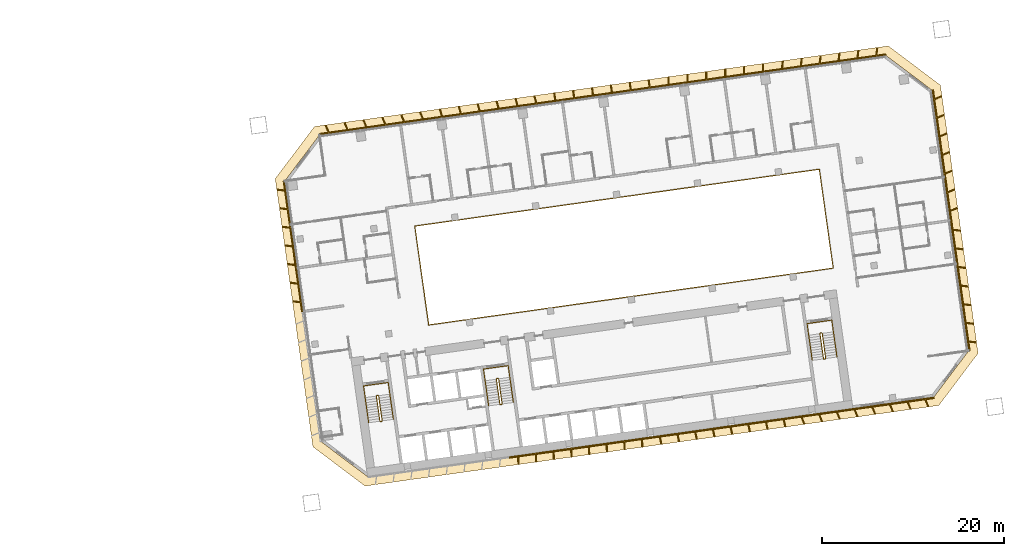
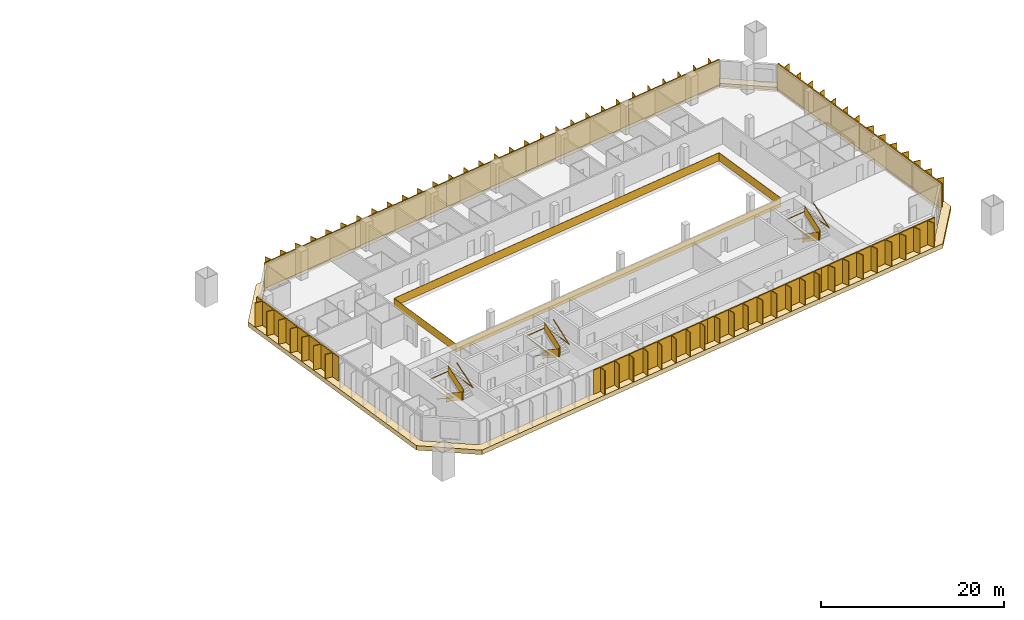
# One storey, part 24 of 24: 11 shading devices, 7 railings, 1 covering.
"""IFC4 building model written with IfcOpenShell, lengths in metres."""

import ifcopenshell
import ifcopenshell.guid

model = None  # the IFC model being written
_history = None  # IfcOwnerHistory: only IFC2X3 demands one
_inside = {}  # id of a spatial element -> (the spatial element, [elements in it])
_under = {}  # id of a project, library or spatial element -> (it, [spatial elements below it])
_declared = {}  # id of a project -> (the project, [libraries it declares])
_typed = {}  # id of a type object -> (the type object, [elements of that type])
_made_of = {}  # id of a material, layer set ... -> (it, [elements and type objects made of it])


def new_model(schema):
    """Start an empty IFC model of exactly this schema.

    Asked for "IFC4X3", IfcOpenShell would pick the latest addendum, in which some entities
    have other attributes; the version numbers below select the first issue.
    IFC2X3 requires an IfcOwnerHistory on every rooted entity: one is made here for all.
    """
    global model, _history
    if schema == "IFC4X3":
        model = ifcopenshell.file(schema_version=(4, 3, 0, 0))
    else:
        model = ifcopenshell.file(schema=schema)
    _inside.clear()
    _under.clear()
    _declared.clear()
    _typed.clear()
    _made_of.clear()
    _history = None
    if model.schema == "IFC2X3":
        org = make("IfcOrganization", Name="unknown")
        user = make(
            "IfcPersonAndOrganization",
            ThePerson=make("IfcPerson", FamilyName="unknown"),
            TheOrganization=org,
        )
        app = make(
            "IfcApplication",
            ApplicationDeveloper=org,
            Version="unknown",
            ApplicationFullName="unknown",
            ApplicationIdentifier="unknown",
        )
        _history = make(
            "IfcOwnerHistory",
            OwningUser=user,
            OwningApplication=app,
            ChangeAction="ADDED",
            CreationDate=0,
        )
    return model


def make(cls, **values):
    """One entity of the class cls with the attributes given. An attribute that is None is left unset."""
    return model.create_entity(
        cls, **{name: value for name, value in values.items() if value is not None}
    )


def rooted(cls, **values):
    """An entity with a GlobalId (a new one), such as an element, a storey or a relation."""
    return make(cls, GlobalId=ifcopenshell.guid.new(), OwnerHistory=_history, **values)


def si_unit(unit_type, name, prefix=None):
    """IfcSIUnit, for example si_unit("LENGTHUNIT", "METRE", prefix="MILLI")."""
    return make("IfcSIUnit", UnitType=unit_type, Prefix=prefix, Name=name)


def assignment(units):
    """IfcUnitAssignment: the units of a project."""
    return None if units is None else make("IfcUnitAssignment", Units=units)


def point(xyz):
    """IfcCartesianPoint."""
    return None if xyz is None else make("IfcCartesianPoint", Coordinates=xyz)


def direction(xyz):
    """IfcDirection."""
    return None if xyz is None else make("IfcDirection", DirectionRatios=xyz)


def frame(location, z_axis=None, x_axis=None):
    """IfcAxis2Placement3D, a coordinate frame: its origin and axes. An axis left out is left unset."""
    return make(
        "IfcAxis2Placement3D",
        Location=point(location),
        Axis=direction(z_axis),
        RefDirection=direction(x_axis),
    )


def frame_2d(location, x_axis=None):
    """IfcAxis2Placement2D, a coordinate frame in the plane: its origin and x axis."""
    return make(
        "IfcAxis2Placement2D", Location=point(location), RefDirection=direction(x_axis)
    )


def origin():
    """The frame at (0, 0, 0) with its axes left unset."""
    return frame((0.0, 0.0, 0.0))


def origin_2d():
    """The frame at (0, 0) in the plane with its x axis left unset."""
    return frame_2d((0.0, 0.0))


def place(relative_to, where):
    """IfcLocalPlacement: puts the frame where relative to a parent placement (None: the world)."""
    return make(
        "IfcLocalPlacement", PlacementRelTo=relative_to, RelativePlacement=where
    )


def context(
    kind, dimensions, precision=None, world=None, true_north=None, identifier=None
):
    """IfcGeometricRepresentationContext, for example the 3D "Model" context."""
    return make(
        "IfcGeometricRepresentationContext",
        ContextIdentifier=identifier,
        ContextType=kind,
        CoordinateSpaceDimension=dimensions,
        Precision=precision,
        WorldCoordinateSystem=world,
        TrueNorth=true_north,
    )


def subcontext(parent, identifier, kind, view, scale=None):
    """IfcGeometricRepresentationSubContext, for example "Body" below "Model"."""
    return make(
        "IfcGeometricRepresentationSubContext",
        ContextIdentifier=identifier,
        ContextType=kind,
        ParentContext=parent,
        TargetScale=scale,
        TargetView=view,
    )


def project(units=None, contexts=None):
    """IfcProject with its units and contexts."""
    return rooted(
        "IfcProject",
        Name="project",
        RepresentationContexts=contexts,
        UnitsInContext=assignment(units),
    )


def spatial(cls, under=None, at=None, **own):
    """A site, building, storey or space (cls), placed at a placement, below another one or the project."""
    s = rooted(cls, ObjectPlacement=at, **own)
    if under is not None:
        _under.setdefault(under.id(), (under, []))[1].append(s)
    return s


def polyline(points):
    """IfcPolyline through the points."""
    return make("IfcPolyline", Points=[point(p) for p in points])


def profile(cls, at=None, kind="AREA", **sizes):
    """A parametric profile (cls). Its sizes go by their IFC names, for example OverallWidth=200.0."""
    return make(cls, ProfileType=kind, Position=at, **sizes)


def rectangle(**sizes):
    """IfcRectangleProfileDef."""
    return profile("IfcRectangleProfileDef", **sizes)


def outline(outer, holes=None, kind="AREA"):
    """IfcArbitraryClosedProfileDef: a profile drawn as a closed curve; with holes, ...WithVoids."""
    if holes is None:
        return make("IfcArbitraryClosedProfileDef", ProfileType=kind, OuterCurve=outer)
    return make(
        "IfcArbitraryProfileDefWithVoids",
        ProfileType=kind,
        OuterCurve=outer,
        InnerCurves=holes,
    )


def extrude(swept, where, along, depth):
    """IfcExtrudedAreaSolid: the profile swept, set in the frame where, extruded along a direction by depth."""
    return make(
        "IfcExtrudedAreaSolid",
        SweptArea=swept,
        Position=where,
        ExtrudedDirection=direction(along),
        Depth=depth,
    )


def shape(context_of_items, identifier, shape_type, items):
    """IfcShapeRepresentation: the items that make up one representation, for example the "Body"."""
    return make(
        "IfcShapeRepresentation",
        ContextOfItems=context_of_items,
        RepresentationIdentifier=identifier,
        RepresentationType=shape_type,
        Items=items,
    )


def material(Name=None, Category=None):
    """IfcMaterial."""
    return make("IfcMaterial", Name=Name, Category=Category)


def layer(
    of_material, thickness, ventilated=None, Name=None, Category=None, Priority=None
):
    """IfcMaterialLayer: one layer of a wall or slab, of a material (None: an air gap)."""
    return make(
        "IfcMaterialLayer",
        Material=of_material,
        LayerThickness=thickness,
        IsVentilated=ventilated,
        Name=Name,
        Category=Category,
        Priority=Priority,
    )


def layer_set(layers, Name=None):
    """IfcMaterialLayerSet."""
    return make("IfcMaterialLayerSet", MaterialLayers=layers, LayerSetName=Name)


def made_of(thing, what):
    """Note that an element or type object is made of a material, layer set ...; save() writes the relation."""
    if what is not None:
        _made_of.setdefault(what.id(), (what, []))[1].append(thing)
    return thing


def type_object(cls, material=None, **own):
    """A type object (cls), such as IfcWallType, which elements share."""
    return made_of(rooted(cls, **own), material)


def element(
    cls,
    number,
    at=None,
    inside=None,
    cuts=None,
    type_object=None,
    material=None,
    context=None,
    identifier="Body",
    shape_type=None,
    held_by="IfcProductDefinitionShape",
    body=None,
    shapes=None,
    **own,
):
    """One element of the class cls, such as IfcWall. Its Tag is "e" and its number.

    at: its placement. inside: the storey or other place that contains it. cuts: it is an
    opening in that element (IfcRelVoidsElement). A single representation is given by context,
    identifier, shape_type and body (its items); several are given by shapes. held_by: the class
    of the entity that holds the representations. save() writes the other relations.
    """
    e = rooted(cls, Tag="e%d" % number, ObjectPlacement=at, **own)
    if body is not None:
        shapes = [shape(context, identifier, shape_type, body)]
    if shapes is not None:
        e.Representation = make(held_by, Representations=shapes)
    if inside is not None:
        _inside.setdefault(inside.id(), (inside, []))[1].append(e)
    if cuts is not None:
        rooted(
            "IfcRelVoidsElement", RelatingBuildingElement=cuts, RelatedOpeningElement=e
        )
    if type_object is not None:
        _typed.setdefault(type_object.id(), (type_object, []))[1].append(e)
    return made_of(e, material)


def aggregate(whole, parts):
    """IfcRelAggregates: a whole, such as a stair, and the parts it consists of."""
    return rooted("IfcRelAggregates", RelatingObject=whole, RelatedObjects=parts)


def save(model, path):
    """Write the relations noted so far, then the file.

    IfcRelAggregates (storeys below a building ...), IfcRelContainedInSpatialStructure (elements
    in a storey), IfcRelDefinesByType, IfcRelAssociatesMaterial and IfcRelDeclares: one each for
    every whole, place, type object, material and project.
    """
    for whole, parts in _under.values():
        aggregate(whole, parts)
    for where, things in _inside.values():
        rooted(
            "IfcRelContainedInSpatialStructure",
            RelatedElements=things,
            RelatingStructure=where,
        )
    for kind, things in _typed.values():
        rooted("IfcRelDefinesByType", RelatedObjects=things, RelatingType=kind)
    for what, things in _made_of.values():
        rooted("IfcRelAssociatesMaterial", RelatedObjects=things, RelatingMaterial=what)
    for by, libraries in _declared.values():
        rooted("IfcRelDeclares", RelatingContext=by, RelatedDefinitions=libraries)
    model.write(path)


model = new_model("IFC4")

# Units and contexts
model_context = context("Model", 3, precision=1e-05, world=origin(), true_north=direction((0.0, 1.0)))
body_context = subcontext(model_context, "Body", "Model", "MODEL_VIEW")
ifc_project = project(units=[si_unit("LENGTHUNIT", "METRE"), si_unit("AREAUNIT", "SQUARE_METRE"), si_unit("VOLUMEUNIT", "CUBIC_METRE"), si_unit("PLANEANGLEUNIT", "RADIAN"), si_unit("MASSUNIT", "GRAM", prefix="KILO")], contexts=[model_context])

# Site, building, storey
site_placement = place(None, origin())
site = spatial("IfcSite", under=ifc_project, at=site_placement, CompositionType="ELEMENT")
building_placement = place(site_placement, origin())
building = spatial("IfcBuilding", under=site, at=building_placement, Name="Mirante Cascada Hotel Towers", CompositionType="ELEMENT")
storey_placement = place(building_placement, frame((0.0, 0.0, 43.3)))
storey = spatial("IfcBuildingStorey", under=building, at=storey_placement, Name="L07", CompositionType="ELEMENT", Elevation=43.3)

# Railing
ifc_material_1 = material(Name="Toughened glass with stainless steel handrail", Category="steel")
railing_type_1 = type_object("IfcRailingType", Name="Atrium guard 1100 glass balustrade", PredefinedType="GUARDRAIL", material=ifc_material_1)
railing_1_placement = place(storey_placement, frame((43.8418, -3.4881, 0.0)))
element("IfcRailing", 1, at=railing_1_placement, inside=storey, type_object=railing_type_1, Name="GUARD 2-L07-1", PredefinedType="GUARDRAIL", context=body_context, shape_type="SweptSolid", body=[
    extrude(rectangle(XDim=0.048, YDim=0.048, at=origin_2d()), frame((0.0, 0.0, 1.076), z_axis=(0.9902681, 0.1391732, 0.0), x_axis=(-0.1391732, 0.9902681, 0.0)), (0.0, 0.0, 1.0), 45.0),
    extrude(rectangle(XDim=0.02, YDim=1.052, at=origin_2d()), frame((0.0, 0.0, 0.526), z_axis=(0.9902681, 0.1391732, 0.0), x_axis=(-0.1391732, 0.9902681, 0.0)), (0.0, 0.0, 1.0), 45.0),
    extrude(rectangle(XDim=0.048, YDim=0.048, at=origin_2d()), frame((44.5621, 6.2628, 1.076), z_axis=(-0.1391721, 0.9902682, 0.0), x_axis=(-0.9902682, -0.1391721, 0.0)), (0.0, 0.0, 1.0), 11.0001),
    extrude(rectangle(XDim=0.02, YDim=1.052, at=origin_2d()), frame((44.5621, 6.2628, 0.526), z_axis=(-0.1391721, 0.9902682, 0.0), x_axis=(-0.9902682, -0.1391721, 0.0)), (0.0, 0.0, 1.0), 11.0001),
    extrude(rectangle(XDim=0.048, YDim=0.048, at=origin_2d()), frame((43.0312, 17.1558, 1.076), z_axis=(-0.9902681, -0.1391732, 0.0), x_axis=(0.1391732, -0.9902681, 0.0)), (0.0, 0.0, 1.0), 45.0),
    extrude(rectangle(XDim=0.02, YDim=1.052, at=origin_2d()), frame((43.0312, 17.1558, 0.526), z_axis=(-0.9902681, -0.1391732, 0.0), x_axis=(0.1391732, -0.9902681, 0.0)), (0.0, 0.0, 1.0), 45.0),
    extrude(rectangle(XDim=0.048, YDim=0.048, at=origin_2d()), frame((-1.5309, 10.893, 1.076), z_axis=(0.1391721, -0.9902682, 0.0), x_axis=(0.9902682, 0.1391721, 0.0)), (0.0, 0.0, 1.0), 11.0001),
    extrude(rectangle(XDim=0.02, YDim=1.052, at=origin_2d()), frame((-1.5309, 10.893, 0.526), z_axis=(0.1391721, -0.9902682, 0.0), x_axis=(0.9902682, 0.1391721, 0.0)), (0.0, 0.0, 1.0), 11.0001),
])

# Covering
ifc_material_2 = material(Name="Precast concrete C40/50 white", Category="concrete")
ifc_layer = layer(ifc_material_2, 0.6)
ifc_layer_set = layer_set([ifc_layer], Name="Precast concrete SUNSHADE band 1000x600")
covering_type = type_object("IfcCoveringType", Name="Precast concrete SUNSHADE band 1000x600", PredefinedType="CLADDING", material=ifc_layer_set)
covering_placement = place(storey_placement, frame((0.0, 0.0, -0.45)))
element("IfcCovering", 2, at=covering_placement, inside=storey, type_object=covering_type, Name="Precast concrete SUNSHADE band T2 L07", PredefinedType="CLADDING", context=body_context, shape_type="SweptSolid", body=[
    extrude(outline(polyline([(26.9341, 12.6299), (31.2626, 18.374), (94.4698, 27.2572), (100.2139, 22.9287), (104.3652, -6.6094), (100.0367, -12.3535), (36.8295, -21.2367), (31.0854, -16.9082), (26.9341, 12.6299)]), holes=[polyline([(103.3173, -6.3384), (99.2813, 22.3794), (94.1988, 26.2093), (31.8119, 17.4414), (27.982, 12.3589), (32.018, -16.3589), (37.1005, -20.1888), (99.4874, -11.4209), (103.3173, -6.3384)])]), origin(), (0.0, 0.0, 1.0), 0.6),
])

# Railings
ifc_material_3 = material(Name="Painted steel", Category="steel")
railing_type_2 = type_object("IfcRailingType", Name="Stair guard 1100 steel balustrade", PredefinedType="GUARDRAIL", material=ifc_material_3)
railing_2_placement = place(storey_placement, frame((38.2663, -11.2395, 0.0)))
element("IfcRailing", 3, at=railing_2_placement, inside=storey, type_object=railing_type_2, Name="L07 ST2-A stair guard 1", PredefinedType="GUARDRAIL", context=body_context, shape_type="SweptSolid", body=[
    extrude(rectangle(XDim=0.048, YDim=0.048, at=origin_2d()), frame((0.0, 0.0, 1.076), z_axis=(-0.9903326, -0.1387133, 0.0), x_axis=(0.1387133, -0.9903326, 0.0)), (0.0, 0.0, 1.0), 0.1499),
    extrude(rectangle(XDim=0.02, YDim=1.052, at=origin_2d()), frame((0.0, 0.0, 0.526), z_axis=(-0.9903326, -0.1387133, 0.0), x_axis=(0.1387133, -0.9903326, 0.0)), (0.0, 0.0, 1.0), 0.1499),
    extrude(rectangle(XDim=0.048, YDim=0.048, at=origin_2d()), frame((-0.1485, -0.0208, 1.076), z_axis=(-0.6020331, -0.7984711, 0.0), x_axis=(0.7984711, -0.6020331, 0.0)), (0.0, 0.9253398, 0.3791387), 0.1866),
    extrude(rectangle(XDim=0.02, YDim=1.052, at=origin_2d()), frame((-0.1485, -0.0208, 0.526), z_axis=(-0.6020331, -0.7984711, 0.0), x_axis=(0.7984711, -0.6020331, 0.0)), (0.0, 0.9253398, 0.3791387), 0.1866),
    extrude(rectangle(XDim=0.048, YDim=0.048, at=origin_2d()), frame((-0.1911, -0.0773, 1.2487), z_axis=(0.139176, -0.9902677, 0.0), x_axis=(0.9902677, 0.139176, 0.0)), (0.0, 0.5250212, 0.8510891), 3.29),
    extrude(rectangle(XDim=0.02, YDim=1.052, at=origin_2d()), frame((-0.1911, -0.0773, 0.6987), z_axis=(0.139176, -0.9902677, 0.0), x_axis=(0.9902677, 0.139176, 0.0)), (0.0, 0.5250212, 0.8510891), 3.29),
    extrude(rectangle(XDim=0.048, YDim=0.048, at=origin_2d()), frame((0.1986, -2.8501, 2.976), z_axis=(0.9944948, -0.1047858, 0.0), x_axis=(0.1047858, 0.9944948, 0.0)), (0.0, 0.0, 1.0), 0.2061),
    extrude(rectangle(XDim=0.02, YDim=1.052, at=origin_2d()), frame((0.1986, -2.8501, 2.426), z_axis=(0.9944948, -0.1047858, 0.0), x_axis=(0.1047858, 0.9944948, 0.0)), (0.0, 0.0, 1.0), 0.2061),
    extrude(rectangle(XDim=0.048, YDim=0.048, at=origin_2d()), frame((0.4036, -2.8717, 2.976), z_axis=(-0.9902408, -0.1393672, 0.0), x_axis=(0.1393672, -0.9902408, 0.0)), (0.0, 0.0, 1.0), 0.15),
    extrude(rectangle(XDim=0.02, YDim=1.052, at=origin_2d()), frame((0.4036, -2.8717, 2.426), z_axis=(-0.9902408, -0.1393672, 0.0), x_axis=(0.1393672, -0.9902408, 0.0)), (0.0, 0.0, 1.0), 0.15),
    extrude(rectangle(XDim=0.048, YDim=0.048, at=origin_2d()), frame((0.2551, -2.8926, 2.976), z_axis=(0.9270311, 0.3749843, 0.0), x_axis=(-0.3749843, 0.9270311, 0.0)), (0.0, 0.6421903, 0.7665452), 0.2689),
    extrude(rectangle(XDim=0.02, YDim=1.052, at=origin_2d()), frame((0.2551, -2.8926, 2.426), z_axis=(0.9270311, 0.3749843, 0.0), x_axis=(-0.3749843, 0.9270311, 0.0)), (0.0, 0.6421903, 0.7665452), 0.2689),
    extrude(rectangle(XDim=0.048, YDim=0.048, at=origin_2d()), frame((0.4462, -2.8153, 3.1487), z_axis=(-0.139176, 0.9902677, 0.0), x_axis=(-0.9902677, -0.139176, 0.0)), (0.0, 0.5250212, 0.8510891), 3.29),
    extrude(rectangle(XDim=0.02, YDim=1.052, at=origin_2d()), frame((0.4462, -2.8153, 2.5987), z_axis=(-0.139176, 0.9902677, 0.0), x_axis=(-0.9902677, -0.139176, 0.0)), (0.0, 0.5250212, 0.8510891), 3.29),
])
railing_3_placement = place(storey_placement, frame((51.4864, -9.3815, 0.0)))
element("IfcRailing", 4, at=railing_3_placement, inside=storey, type_object=railing_type_2, Name="L07 ST2-B stair guard 1", PredefinedType="GUARDRAIL", context=body_context, shape_type="SweptSolid", body=[
    extrude(rectangle(XDim=0.048, YDim=0.048, at=origin_2d()), frame((0.0, 0.0, 1.076), z_axis=(-0.9902408, -0.1393672, 0.0), x_axis=(0.1393672, -0.9902408, 0.0)), (0.0, 0.0, 1.0), 0.15),
    extrude(rectangle(XDim=0.02, YDim=1.052, at=origin_2d()), frame((0.0, 0.0, 0.526), z_axis=(-0.9902408, -0.1393672, 0.0), x_axis=(0.1393672, -0.9902408, 0.0)), (0.0, 0.0, 1.0), 0.15),
    extrude(rectangle(XDim=0.048, YDim=0.048, at=origin_2d()), frame((-0.1485, -0.0209, 1.076), z_axis=(-0.6020331, -0.7984711, 0.0), x_axis=(0.7984711, -0.6020331, 0.0)), (0.0, 0.9253398, 0.3791387), 0.1866),
    extrude(rectangle(XDim=0.02, YDim=1.052, at=origin_2d()), frame((-0.1485, -0.0209, 0.526), z_axis=(-0.6020331, -0.7984711, 0.0), x_axis=(0.7984711, -0.6020331, 0.0)), (0.0, 0.9253398, 0.3791387), 0.1866),
    extrude(rectangle(XDim=0.048, YDim=0.048, at=origin_2d()), frame((-0.1911, -0.0774, 1.2487), z_axis=(0.139181, -0.990267, 0.0), x_axis=(0.990267, 0.139181, 0.0)), (0.0, 0.5250347, 0.8510808), 3.2899),
    extrude(rectangle(XDim=0.02, YDim=1.052, at=origin_2d()), frame((-0.1911, -0.0774, 0.6987), z_axis=(0.139181, -0.990267, 0.0), x_axis=(0.990267, 0.139181, 0.0)), (0.0, 0.5250347, 0.8510808), 3.2899),
    extrude(rectangle(XDim=0.048, YDim=0.048, at=origin_2d()), frame((0.1986, -2.8501, 2.976), z_axis=(0.9944441, -0.1052656, 0.0), x_axis=(0.1052656, 0.9944441, 0.0)), (0.0, 0.0, 1.0), 0.2061),
    extrude(rectangle(XDim=0.02, YDim=1.052, at=origin_2d()), frame((0.1986, -2.8501, 2.426), z_axis=(0.9944441, -0.1052656, 0.0), x_axis=(0.1052656, 0.9944441, 0.0)), (0.0, 0.0, 1.0), 0.2061),
    extrude(rectangle(XDim=0.048, YDim=0.048, at=origin_2d()), frame((0.4036, -2.8718, 2.976), z_axis=(-0.9902408, -0.1393672, 0.0), x_axis=(0.1393672, -0.9902408, 0.0)), (0.0, 0.0, 1.0), 0.15),
    extrude(rectangle(XDim=0.02, YDim=1.052, at=origin_2d()), frame((0.4036, -2.8718, 2.426), z_axis=(-0.9902408, -0.1393672, 0.0), x_axis=(0.1393672, -0.9902408, 0.0)), (0.0, 0.0, 1.0), 0.15),
    extrude(rectangle(XDim=0.048, YDim=0.048, at=origin_2d()), frame((0.2551, -2.8927, 2.976), z_axis=(0.9268624, 0.3754011, 0.0), x_axis=(-0.3754011, 0.9268624, 0.0)), (0.0, 0.6421217, 0.7666028), 0.269),
    extrude(rectangle(XDim=0.02, YDim=1.052, at=origin_2d()), frame((0.2551, -2.8927, 2.426), z_axis=(0.9268624, 0.3754011, 0.0), x_axis=(-0.3754011, 0.9268624, 0.0)), (0.0, 0.6421217, 0.7666028), 0.269),
    extrude(rectangle(XDim=0.048, YDim=0.048, at=origin_2d()), frame((0.4462, -2.8153, 3.1487), z_axis=(-0.139181, 0.990267, 0.0), x_axis=(-0.990267, -0.139181, 0.0)), (0.0, 0.5250347, 0.8510808), 3.2899),
    extrude(rectangle(XDim=0.02, YDim=1.052, at=origin_2d()), frame((0.4462, -2.8153, 2.5987), z_axis=(-0.139181, 0.990267, 0.0), x_axis=(-0.990267, -0.139181, 0.0)), (0.0, 0.5250347, 0.8510808), 3.2899),
])
railing_4_placement = place(storey_placement, frame((87.1361, -4.3713, 0.0)))
element("IfcRailing", 5, at=railing_4_placement, inside=storey, type_object=railing_type_2, Name="L07 ST2-C stair guard 1", PredefinedType="GUARDRAIL", context=body_context, shape_type="SweptSolid", body=[
    extrude(rectangle(XDim=0.048, YDim=0.048, at=origin_2d()), frame((0.0, 0.0, 1.076), z_axis=(-0.9902537, -0.1392753, 0.0), x_axis=(0.1392753, -0.9902537, 0.0)), (0.0, 0.0, 1.0), 0.1501),
    extrude(rectangle(XDim=0.02, YDim=1.052, at=origin_2d()), frame((0.0, 0.0, 0.526), z_axis=(-0.9902537, -0.1392753, 0.0), x_axis=(0.1392753, -0.9902537, 0.0)), (0.0, 0.0, 1.0), 0.1501),
    extrude(rectangle(XDim=0.048, YDim=0.048, at=origin_2d()), frame((-0.1486, -0.0209, 1.076), z_axis=(-0.601811, -0.7986386, 0.0), x_axis=(0.7986386, -0.601811, 0.0)), (0.0, 0.925603, 0.3784959), 0.1866),
    extrude(rectangle(XDim=0.02, YDim=1.052, at=origin_2d()), frame((-0.1486, -0.0209, 0.526), z_axis=(-0.601811, -0.7986386, 0.0), x_axis=(0.7986386, -0.601811, 0.0)), (0.0, 0.925603, 0.3784959), 0.1866),
    extrude(rectangle(XDim=0.048, YDim=0.048, at=origin_2d()), frame((-0.1911, -0.0773, 1.2487), z_axis=(0.139176, -0.9902677, 0.0), x_axis=(0.9902677, 0.139176, 0.0)), (0.0, 0.5250212, 0.8510891), 3.29),
    extrude(rectangle(XDim=0.02, YDim=1.052, at=origin_2d()), frame((-0.1911, -0.0773, 0.6987), z_axis=(0.139176, -0.9902677, 0.0), x_axis=(0.9902677, 0.139176, 0.0)), (0.0, 0.5250212, 0.8510891), 3.29),
    extrude(rectangle(XDim=0.048, YDim=0.048, at=origin_2d()), frame((0.1986, -2.8501, 2.976), z_axis=(0.9944441, -0.1052656, 0.0), x_axis=(0.1052656, 0.9944441, 0.0)), (0.0, 0.0, 1.0), 0.2061),
    extrude(rectangle(XDim=0.02, YDim=1.052, at=origin_2d()), frame((0.1986, -2.8501, 2.426), z_axis=(0.9944441, -0.1052656, 0.0), x_axis=(0.1052656, 0.9944441, 0.0)), (0.0, 0.0, 1.0), 0.2061),
    extrude(rectangle(XDim=0.048, YDim=0.048, at=origin_2d()), frame((0.4036, -2.8718, 2.976), z_axis=(-0.9903454, -0.1386217, 0.0), x_axis=(0.1386217, -0.9903454, 0.0)), (0.0, 0.0, 1.0), 0.15),
    extrude(rectangle(XDim=0.02, YDim=1.052, at=origin_2d()), frame((0.4036, -2.8718, 2.426), z_axis=(-0.9903454, -0.1386217, 0.0), x_axis=(0.1386217, -0.9903454, 0.0)), (0.0, 0.0, 1.0), 0.15),
    extrude(rectangle(XDim=0.048, YDim=0.048, at=origin_2d()), frame((0.255, -2.8926, 2.976), z_axis=(0.9270311, 0.3749843, 0.0), x_axis=(-0.3749843, 0.9270311, 0.0)), (0.0, 0.6421903, 0.7665452), 0.2689),
    extrude(rectangle(XDim=0.02, YDim=1.052, at=origin_2d()), frame((0.255, -2.8926, 2.426), z_axis=(0.9270311, 0.3749843, 0.0), x_axis=(-0.3749843, 0.9270311, 0.0)), (0.0, 0.6421903, 0.7665452), 0.2689),
    extrude(rectangle(XDim=0.048, YDim=0.048, at=origin_2d()), frame((0.4461, -2.8153, 3.1487), z_axis=(-0.139176, 0.9902677, 0.0), x_axis=(-0.9902677, -0.139176, 0.0)), (0.0, 0.5250212, 0.8510891), 3.29),
    extrude(rectangle(XDim=0.02, YDim=1.052, at=origin_2d()), frame((0.4461, -2.8153, 2.5987), z_axis=(-0.139176, 0.9902677, 0.0), x_axis=(-0.9902677, -0.139176, 0.0)), (0.0, 0.5250212, 0.8510891), 3.29),
])
ifc_material_4 = material(Name="Painted steel", Category="steel")
railing_type_3 = type_object("IfcRailingType", Name="Stair handrail 900 steel tube", PredefinedType="HANDRAIL", material=ifc_material_4)
railing_5_placement = place(storey_placement, frame((36.8374, -11.4908, 0.1727)))
element("IfcRailing", 6, at=railing_5_placement, inside=storey, type_object=railing_type_3, Name="L07 ST2-A stair handrail 1", PredefinedType="HANDRAIL", context=body_context, shape_type="SweptSolid", body=[
    extrude(rectangle(XDim=0.048, YDim=0.048, at=origin_2d()), frame((0.0, 0.0, 0.876), z_axis=(0.139181, -0.990267, 0.0), x_axis=(0.990267, 0.139181, 0.0)), (0.0, 0.5250347, 0.8510808), 3.2899),
    extrude(rectangle(XDim=0.048, YDim=0.048, at=origin_2d()), frame((0.3897, -2.7727, 2.6033), z_axis=(-0.1391707, 0.9902684, 0.0), x_axis=(-0.9902684, -0.1391707, 0.0)), (0.0, 0.0420846, 0.999114), 4.1036),
    extrude(rectangle(XDim=0.048, YDim=0.048, at=origin_2d()), frame((-0.1809, 1.2874, 2.776), z_axis=(0.9902691, 0.1391657, 0.0), x_axis=(-0.1391657, 0.9902691, 0.0)), (0.0, 0.0, 1.0), 2.75),
    extrude(rectangle(XDim=0.048, YDim=0.048, at=origin_2d()), frame((2.5423, 1.6701, 2.776), z_axis=(0.1391707, -0.9902684, 0.0), x_axis=(0.9902684, 0.1391707, 0.0)), (0.0, 0.0, 1.0), 4.1),
    extrude(rectangle(XDim=0.048, YDim=0.048, at=origin_2d()), frame((3.1129, -2.39, 2.776), z_axis=(-0.139181, 0.990267, 0.0), x_axis=(-0.990267, -0.139181, 0.0)), (0.0, 0.5250347, 0.8510808), 3.2899),
])
railing_6_placement = place(storey_placement, frame((50.0575, -9.6328, 0.1727)))
element("IfcRailing", 7, at=railing_6_placement, inside=storey, type_object=railing_type_3, Name="L07 ST2-B stair handrail 1", PredefinedType="HANDRAIL", context=body_context, shape_type="SweptSolid", body=[
    extrude(rectangle(XDim=0.048, YDim=0.048, at=origin_2d()), frame((0.0, 0.0, 0.876), z_axis=(0.139176, -0.9902677, 0.0), x_axis=(0.9902677, 0.139176, 0.0)), (0.0, 0.5250212, 0.8510891), 3.29),
    extrude(rectangle(XDim=0.048, YDim=0.048, at=origin_2d()), frame((0.3897, -2.7728, 2.6033), z_axis=(-0.1391707, 0.9902684, 0.0), x_axis=(-0.9902684, -0.1391707, 0.0)), (0.0, 0.0420846, 0.999114), 4.1036),
    extrude(rectangle(XDim=0.048, YDim=0.048, at=origin_2d()), frame((-0.1809, 1.2873, 2.776), z_axis=(0.9902641, 0.1392013, 0.0), x_axis=(-0.1392013, 0.9902641, 0.0)), (0.0, 0.0, 1.0), 2.75),
    extrude(rectangle(XDim=0.048, YDim=0.048, at=origin_2d()), frame((2.5423, 1.6701, 2.776), z_axis=(0.1391707, -0.9902684, 0.0), x_axis=(0.9902684, 0.1391707, 0.0)), (0.0, 0.0, 1.0), 4.1),
    extrude(rectangle(XDim=0.048, YDim=0.048, at=origin_2d()), frame((3.1129, -2.39, 2.776), z_axis=(-0.139181, 0.990267, 0.0), x_axis=(-0.990267, -0.139181, 0.0)), (0.0, 0.5250347, 0.8510808), 3.2899),
])
railing_7_placement = place(storey_placement, frame((85.7071, -4.6226, 0.1727)))
element("IfcRailing", 8, at=railing_7_placement, inside=storey, type_object=railing_type_3, Name="L07 ST2-C stair handrail 1", PredefinedType="HANDRAIL", context=body_context, shape_type="SweptSolid", body=[
    extrude(rectangle(XDim=0.048, YDim=0.048, at=origin_2d()), frame((0.0, 0.0, 0.876), z_axis=(0.139181, -0.990267, 0.0), x_axis=(0.990267, 0.139181, 0.0)), (0.0, 0.5250347, 0.8510808), 3.2899),
    extrude(rectangle(XDim=0.048, YDim=0.048, at=origin_2d()), frame((0.3897, -2.7727, 2.6033), z_axis=(-0.1391707, 0.9902684, 0.0), x_axis=(-0.9902684, -0.1391707, 0.0)), (0.0, 0.0420846, 0.999114), 4.1036),
    extrude(rectangle(XDim=0.048, YDim=0.048, at=origin_2d()), frame((-0.1809, 1.2874, 2.776), z_axis=(0.9902691, 0.1391657, 0.0), x_axis=(-0.1391657, 0.9902691, 0.0)), (0.0, 0.0, 1.0), 2.75),
    extrude(rectangle(XDim=0.048, YDim=0.048, at=origin_2d()), frame((2.5423, 1.6701, 2.776), z_axis=(0.1391947, -0.990265, 0.0), x_axis=(0.990265, 0.1391947, 0.0)), (0.0, 0.0, 1.0), 4.1),
    extrude(rectangle(XDim=0.048, YDim=0.048, at=origin_2d()), frame((3.113, -2.39, 2.776), z_axis=(-0.139181, 0.990267, 0.0), x_axis=(-0.990267, -0.139181, 0.0)), (0.0, 0.5250347, 0.8510808), 3.2899),
])

# Shading devices
ifc_material_5 = material(Name="White precast concrete C50/60 fin", Category="concrete")
shading_device_type = type_object("IfcShadingDeviceType", Name="Vertical fin set 4500x900", PredefinedType="USERDEFINED", material=ifc_material_5)
shading_device_1_placement = place(storey_placement, origin())
element("IfcShadingDevice", 9, at=shading_device_1_placement, inside=storey, type_object=shading_device_type, Name="FIN T2 L07 front 1", ObjectType="FIN", PredefinedType="USERDEFINED", context=body_context, shape_type="SweptSolid", body=[
    extrude(outline(polyline([(82.8967, 25.5893), (82.7946, 24.758), (84.7922, 25.0387), (84.8968, 25.8913), (84.9762, 25.8815), (84.8742, 25.0503), (86.8717, 25.331), (86.9764, 26.1835), (87.0558, 26.1738), (86.9537, 25.3425), (88.9513, 25.6233), (89.056, 26.4758), (89.1354, 26.4661), (89.0333, 25.6348), (91.0308, 25.9155), (91.1355, 26.7681), (91.2149, 26.7583), (91.1129, 25.9271), (93.1104, 26.2078), (93.2151, 27.0603), (93.2945, 27.0506), (93.1924, 26.2193), (94.1779, 26.3578), (94.1988, 26.2093), (81.7214, 24.4557), (81.7006, 24.6042), (82.7126, 24.7465), (82.8173, 25.599), (82.8967, 25.5893)])), origin(), (0.0, 0.0, 1.0), 3.35),
])
shading_device_2_placement = place(storey_placement, origin())
element("IfcShadingDevice", 10, at=shading_device_2_placement, inside=storey, type_object=shading_device_type, Name="FIN T2 L07 front 2", ObjectType="FIN", PredefinedType="USERDEFINED", context=body_context, shape_type="SweptSolid", body=[
    extrude(outline(polyline([(70.3021, 23.8476), (70.3094, 23.0033), (72.3091, 23.2844), (72.3016, 24.1392), (72.3816, 24.1399), (72.389, 23.2956), (74.3886, 23.5766), (74.3812, 24.4314), (74.4612, 24.4321), (74.4686, 23.5878), (76.4682, 23.8689), (76.4608, 24.7237), (76.5407, 24.7244), (76.5481, 23.8801), (78.5478, 24.1611), (78.5403, 25.0159), (78.6203, 25.0166), (78.6277, 24.1724), (80.6273, 24.4534), (80.6199, 25.3082), (80.6999, 25.3089), (80.7072, 24.4646), (81.7006, 24.6042), (81.7214, 24.4557), (69.2441, 22.7021), (69.2232, 22.8507), (70.2295, 22.9921), (70.2221, 23.8469), (70.3021, 23.8476)])), origin(), (0.0, 0.0, 1.0), 3.35),
])
shading_device_3_placement = place(storey_placement, origin())
element("IfcShadingDevice", 11, at=shading_device_3_placement, inside=storey, type_object=shading_device_type, Name="FIN T2 L07 front 3", ObjectType="FIN", PredefinedType="USERDEFINED", context=body_context, shape_type="SweptSolid", body=[
    extrude(outline(polyline([(57.7069, 22.0905), (57.8252, 21.2488), (59.8255, 21.5299), (59.7072, 22.3716), (59.7865, 22.3828), (59.9048, 21.541), (61.9051, 21.8222), (61.7868, 22.6639), (61.866, 22.675), (61.9843, 21.8333), (63.9847, 22.1144), (63.8664, 22.9562), (63.9456, 22.9673), (64.0639, 22.1256), (66.0642, 22.4067), (65.9459, 23.2484), (66.0251, 23.2596), (66.1434, 22.4178), (68.1438, 22.699), (68.0255, 23.5407), (68.1047, 23.5518), (68.223, 22.7101), (69.2232, 22.8507), (69.2441, 22.7021), (56.7667, 20.9485), (56.7458, 21.0971), (57.746, 21.2376), (57.6277, 22.0794), (57.7069, 22.0905)])), origin(), (0.0, 0.0, 1.0), 3.35),
])
shading_device_4_placement = place(storey_placement, origin())
element("IfcShadingDevice", 12, at=shading_device_4_placement, inside=storey, type_object=shading_device_type, Name="FIN T2 L07 front 4", ObjectType="FIN", PredefinedType="USERDEFINED", context=body_context, shape_type="SweptSolid", body=[
    extrude(outline(polyline([(45.1132, 20.3181), (45.3416, 19.4943), (47.3413, 19.7754), (47.1157, 20.589), (47.1928, 20.6103), (47.4212, 19.7866), (49.4209, 20.0676), (49.1952, 20.8812), (49.2723, 20.9026), (49.5008, 20.0789), (51.5004, 20.3599), (51.2748, 21.1735), (51.3519, 21.1949), (51.5803, 20.3711), (53.58, 20.6521), (53.3544, 21.4657), (53.4314, 21.4871), (53.6599, 20.6634), (55.6595, 20.9444), (55.4339, 21.758), (55.511, 21.7794), (55.7394, 20.9556), (56.7458, 21.0971), (56.7667, 20.9485), (44.2893, 19.195), (44.2684, 19.3435), (45.2617, 19.4831), (45.0361, 20.2967), (45.1132, 20.3181)])), origin(), (0.0, 0.0, 1.0), 3.35),
])
shading_device_5_placement = place(storey_placement, origin())
element("IfcShadingDevice", 13, at=shading_device_5_placement, inside=storey, type_object=shading_device_type, Name="FIN T2 L07 front 5", ObjectType="FIN", PredefinedType="USERDEFINED", context=body_context, shape_type="SweptSolid", body=[
    extrude(outline(polyline([(32.5229, 18.5306), (32.8586, 17.7399), (34.8561, 18.0207), (34.5289, 18.7916), (34.6025, 18.8229), (34.9381, 18.0322), (36.9357, 18.3129), (36.6084, 19.0839), (36.6821, 19.1151), (37.0177, 18.3245), (39.0152, 18.6052), (38.688, 19.3761), (38.7616, 19.4074), (39.0973, 18.6167), (41.0948, 18.8975), (40.7676, 19.6684), (40.8412, 19.6997), (41.1768, 18.909), (43.1744, 19.1897), (42.8471, 19.9607), (42.9208, 19.9919), (43.2564, 19.2013), (44.2684, 19.3435), (44.2893, 19.195), (31.8119, 17.4414), (31.791, 17.5899), (32.7765, 17.7284), (32.4493, 18.4994), (32.5229, 18.5306)])), origin(), (0.0, 0.0, 1.0), 3.35),
])
shading_device_6_placement = place(storey_placement, origin())
element("IfcShadingDevice", 14, at=shading_device_6_placement, inside=storey, type_object=shading_device_type, Name="FIN T2 L07 inner 1", ObjectType="FIN", PredefinedType="USERDEFINED", context=body_context, shape_type="SweptSolid", body=[
    extrude(outline(polyline([(28.8684, -0.8389), (29.6997, -0.941), (29.4229, 1.0283), (28.5704, 1.133), (28.5801, 1.2124), (29.4114, 1.1103), (29.1346, 3.0796), (28.2821, 3.1842), (28.2918, 3.2636), (29.1231, 3.1616), (28.8464, 5.1308), (27.9938, 5.2355), (28.0036, 5.3149), (28.8348, 5.2128), (28.5581, 7.1821), (27.7055, 7.2868), (27.7153, 7.3662), (28.5465, 7.2641), (28.2698, 9.2334), (27.4172, 9.338), (27.427, 9.4174), (28.2583, 9.3154), (27.9815, 11.2846), (27.1289, 11.3893), (27.1387, 11.4687), (27.97, 11.3667), (27.8334, 12.338), (27.982, 12.3589), (30.0, -2.0), (29.8515, -2.0209), (29.7112, -1.023), (28.8587, -0.9183), (28.8684, -0.8389)])), origin(), (0.0, 0.0, 1.0), 3.35),
])
shading_device_7_placement = place(storey_placement, origin())
element("IfcShadingDevice", 15, at=shading_device_7_placement, inside=storey, type_object=shading_device_type, Name="FIN T2 L07 outer 1", ObjectType="FIN", PredefinedType="USERDEFINED", context=body_context, shape_type="SweptSolid", body=[
    extrude(outline(polyline([(104.1606, -5.4483), (103.3293, -5.3462), (103.4659, -6.3175), (103.3173, -6.3384), (101.2993, 8.0205), (101.4478, 8.0413), (101.5881, 7.0434), (102.4406, 6.9388), (102.4309, 6.8594), (101.5996, 6.9614), (101.8764, 4.9922), (102.7289, 4.8875), (102.7192, 4.8081), (101.8879, 4.9102), (102.1647, 2.9409), (103.0172, 2.8362), (103.0075, 2.7568), (102.1762, 2.8589), (102.4529, 0.8896), (103.3055, 0.785), (103.2957, 0.7056), (102.4645, 0.8076), (102.7412, -1.1616), (103.5938, -1.2663), (103.584, -1.3457), (102.7528, -1.2436), (103.0295, -3.2129), (103.8821, -3.3176), (103.8723, -3.397), (103.041, -3.2949), (103.3178, -5.2642), (104.1704, -5.3689), (104.1606, -5.4483)])), origin(), (0.0, 0.0, 1.0), 3.35),
])
shading_device_8_placement = place(storey_placement, origin())
element("IfcShadingDevice", 16, at=shading_device_8_placement, inside=storey, type_object=shading_device_type, Name="FIN T2 L07 outer 2", ObjectType="FIN", PredefinedType="USERDEFINED", context=body_context, shape_type="SweptSolid", body=[
    extrude(outline(polyline([(102.0983, 9.3749), (101.3076, 9.0392), (101.4478, 8.0413), (101.2993, 8.0205), (99.2813, 22.3794), (99.4298, 22.4002), (99.5663, 21.4289), (100.3373, 21.7561), (100.3685, 21.6825), (99.5779, 21.3469), (99.8546, 19.3776), (100.6256, 19.7048), (100.6568, 19.6312), (99.8662, 19.2956), (100.1429, 17.3263), (100.9139, 17.6536), (100.9451, 17.5799), (100.1544, 17.2443), (100.4312, 15.2751), (101.2021, 15.6023), (101.2334, 15.5287), (100.4427, 15.193), (100.7195, 13.2238), (101.4904, 13.551), (101.5217, 13.4774), (100.731, 13.1418), (101.0078, 11.1725), (101.7787, 11.4998), (101.81, 11.4261), (101.0193, 11.0905), (101.2961, 9.1212), (102.067, 9.4485), (102.0983, 9.3749)])), origin(), (0.0, 0.0, 1.0), 3.35),
])
shading_device_9_placement = place(storey_placement, origin())
element("IfcShadingDevice", 17, at=shading_device_9_placement, inside=storey, type_object=shading_device_type, Name="FIN T2 L07 rear 2", ObjectType="FIN", PredefinedType="USERDEFINED", context=body_context, shape_type="SweptSolid", body=[
    extrude(outline(polyline([(53.6931, -18.8597), (53.6488, -18.0146), (52.7181, -18.1454), (52.6972, -17.9968), (68.2939, -15.8049), (68.3148, -15.9534), (67.3755, -16.0854), (67.4201, -16.9376), (67.3402, -16.9417), (67.2959, -16.0966), (65.4259, -16.3594), (65.4705, -17.2116), (65.3906, -17.2157), (65.3463, -16.3706), (63.4763, -16.6334), (63.5209, -17.4856), (63.441, -17.4897), (63.3967, -16.6446), (61.5267, -16.9074), (61.5713, -17.7596), (61.4914, -17.7637), (61.4472, -16.9186), (59.5771, -17.1814), (59.6217, -18.0335), (59.5419, -18.0377), (59.4976, -17.1926), (57.6275, -17.4554), (57.6722, -18.3075), (57.5923, -18.3117), (57.548, -17.4666), (55.6779, -17.7294), (55.7226, -18.5815), (55.6427, -18.5857), (55.5984, -17.7406), (53.7283, -18.0034), (53.773, -18.8555), (53.6931, -18.8597)])), origin(), (0.0, 0.0, 1.0), 3.35),
])
shading_device_10_placement = place(storey_placement, origin())
element("IfcShadingDevice", 18, at=shading_device_10_placement, inside=storey, type_object=shading_device_type, Name="FIN T2 L07 rear 3", ObjectType="FIN", PredefinedType="USERDEFINED", context=body_context, shape_type="SweptSolid", body=[
    extrude(outline(polyline([(69.4461, -16.6528), (69.2542, -15.8214), (68.3148, -15.9534), (68.2939, -15.8049), (83.8907, -13.6129), (83.9115, -13.7614), (82.9808, -13.8922), (83.1712, -14.7168), (83.0933, -14.7348), (82.9013, -13.9034), (81.0312, -14.1662), (81.2216, -14.9908), (81.1437, -15.0088), (80.9517, -14.1774), (79.0817, -14.4402), (79.272, -15.2648), (79.1941, -15.2828), (79.0021, -14.4514), (77.1321, -14.7142), (77.3224, -15.5388), (77.2445, -15.5568), (77.0525, -14.7254), (75.1825, -14.9882), (75.3729, -15.8128), (75.2949, -15.8308), (75.103, -14.9994), (73.2329, -15.2622), (73.4233, -16.0868), (73.3453, -16.1048), (73.1534, -15.2734), (71.2833, -15.5362), (71.4737, -16.3608), (71.3957, -16.3788), (71.2038, -15.5474), (69.3337, -15.8102), (69.5241, -16.6348), (69.4461, -16.6528)])), origin(), (0.0, 0.0, 1.0), 3.35),
])
shading_device_11_placement = place(storey_placement, origin())
element("IfcShadingDevice", 19, at=shading_device_11_placement, inside=storey, type_object=shading_device_type, Name="FIN T2 L07 rear 4", ObjectType="FIN", PredefinedType="USERDEFINED", context=body_context, shape_type="SweptSolid", body=[
    extrude(outline(polyline([(85.1942, -14.419), (84.8586, -13.6283), (83.9115, -13.7614), (83.8907, -13.6129), (99.4874, -11.4209), (99.5083, -11.5694), (98.5877, -11.6988), (98.915, -12.4698), (98.8413, -12.501), (98.5057, -11.7103), (96.6381, -11.9728), (96.9654, -12.7438), (96.8918, -12.775), (96.5561, -11.9843), (94.6886, -12.2468), (95.0158, -13.0178), (94.9422, -13.049), (94.6065, -12.2583), (92.739, -12.5208), (93.0662, -13.2918), (92.9926, -13.323), (92.657, -12.5323), (90.7894, -12.7948), (91.1166, -13.5657), (91.043, -13.597), (90.7074, -12.8063), (88.8398, -13.0688), (89.167, -13.8397), (89.0934, -13.871), (88.7578, -13.0803), (86.8902, -13.3428), (87.2174, -14.1137), (87.1438, -14.145), (86.8082, -13.3543), (84.9406, -13.6168), (85.2679, -14.3877), (85.1942, -14.419)])), origin(), (0.0, 0.0, 1.0), 3.35),
])

save(model, "model.ifc")
